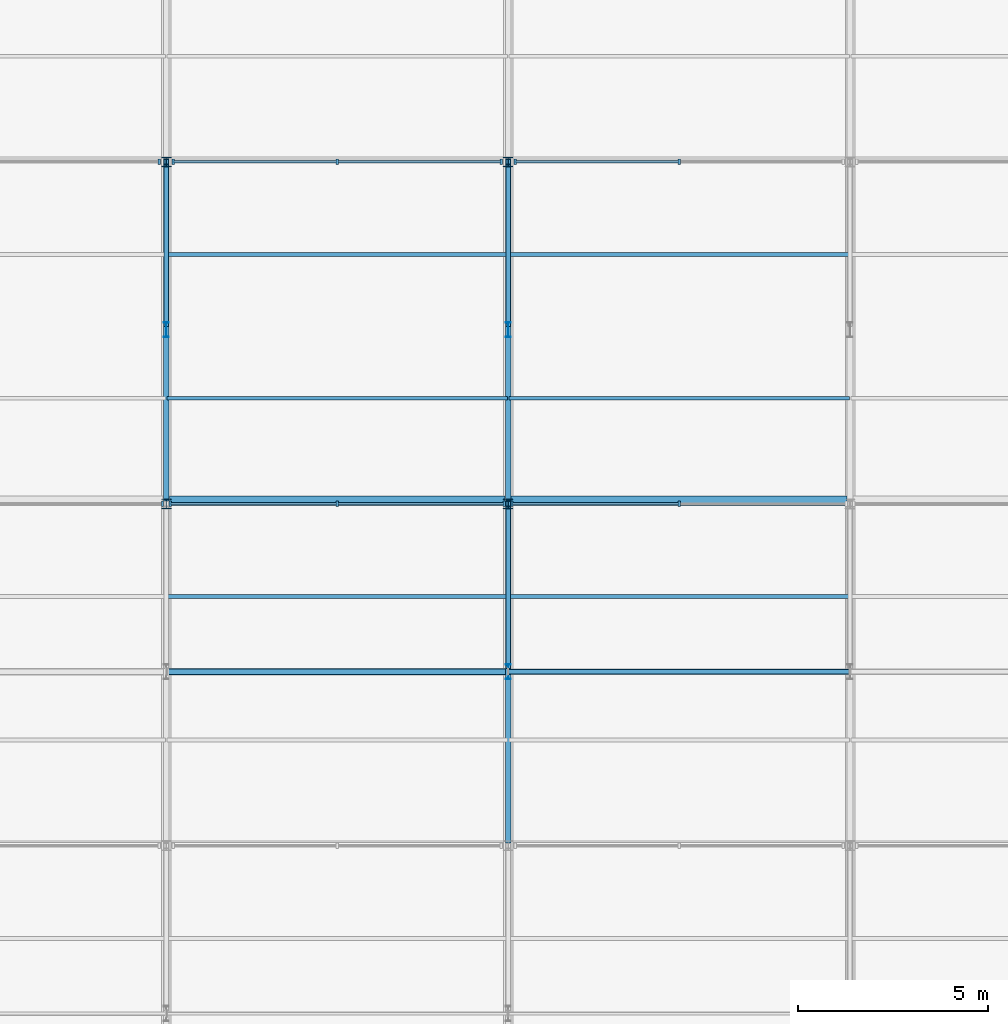
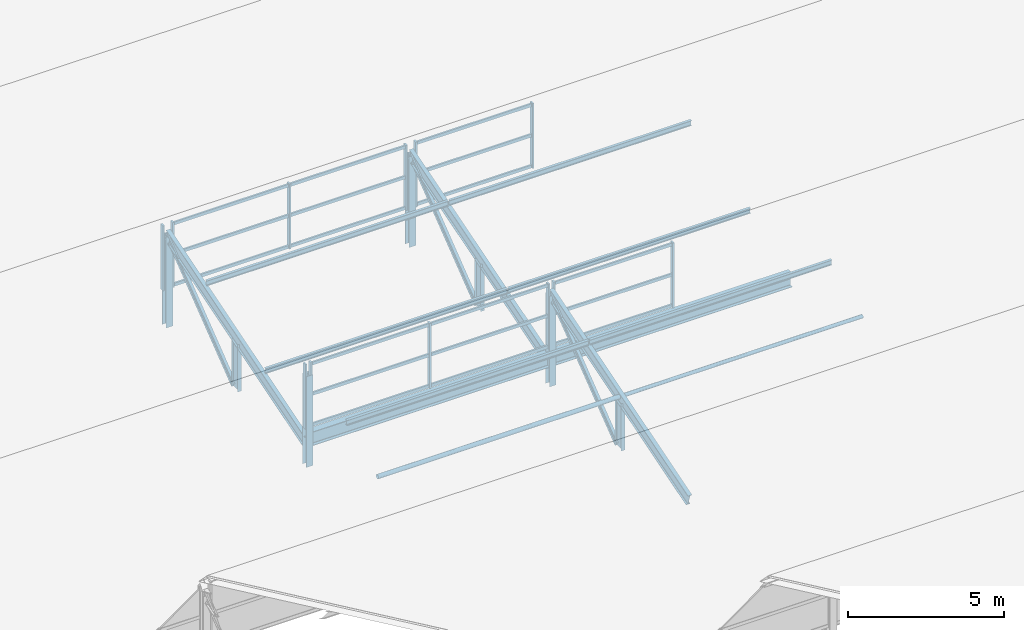
# One storey, part 66 of 163: 51 members, 2 beams, 6 elements without a shape of their own.
"""IFC4 building model written with IfcOpenShell, lengths in metres."""

from ifc_helpers import new_model, si_unit, direction, frame, origin, origin_2d, place, context, subcontext, project, spatial, rectangle, hollow_circle, i_section, extrude, material, material_profile, profile_set, type_object, element, aggregate, save


model = new_model("IFC4")

# Units and contexts
model_context = context("Model", 3, precision=1e-05, world=origin(), true_north=direction((0.0, 1.0)))
body_context = subcontext(model_context, "Body", "Model", "MODEL_VIEW")
ifc_project = project(units=[si_unit("LENGTHUNIT", "METRE"), si_unit("AREAUNIT", "SQUARE_METRE"), si_unit("VOLUMEUNIT", "CUBIC_METRE"), si_unit("PLANEANGLEUNIT", "RADIAN"), si_unit("MASSUNIT", "GRAM", prefix="KILO")], contexts=[model_context])

# Site, building, storey
site_placement = place(None, origin())
site = spatial("IfcSite", under=ifc_project, at=site_placement, CompositionType="ELEMENT")
building_placement = place(site_placement, origin())
building = spatial("IfcBuilding", under=site, at=building_placement, Name="Tharagai Park Tramway Depot", CompositionType="ELEMENT")
storey_placement = place(building_placement, frame((0.0, 0.0, 8.39990234375)))
storey = spatial("IfcBuildingStorey", under=building, at=storey_placement, Name="L02", CompositionType="ELEMENT", Elevation=8.39990234375)

# Beams
ifc_material_1 = material(Name="Steel E350", Category="steel")
ifc_material_profile_1 = material_profile(ifc_material_1, i_section(OverallWidth=0.25, OverallDepth=0.550048828125, WebThickness=0.010498046875, FlangeThickness=0.017578125, FilletRadius=0.01611328125, at=origin_2d()), Name="ISWB 550")
ifc_profile_set_1 = profile_set([ifc_material_profile_1], Name="Steel E350")
beam_type = type_object("IfcBeamType", Name="BM-04", PredefinedType="BEAM", material=ifc_profile_set_1)
for number, where, z_axis, x_axis, name in (
    (1, (81.080078125, 117.0, 0.72509765625), (1.0, 0.0, 0.0), (0.0, 1.0, 0.0), "Sawtooth Valley Girder BM-04"),
    (2, (90.080078125, 117.0, 0.72509765625), (1.0, 0.0, 0.0), (0.0, 1.0, 0.0), "Sawtooth Valley Girder BM-04"),
):
    element("IfcBeam", number, at=place(storey_placement, frame(where, z_axis=z_axis, x_axis=x_axis)), inside=storey, type_object=beam_type, Name=name, PredefinedType="BEAM", context=body_context, shape_type="SweptSolid", body=[
        extrude(i_section(OverallWidth=0.25, OverallDepth=0.550048828125, WebThickness=0.010498046875, FlangeThickness=0.017578125, FilletRadius=0.01611328125, at=origin_2d()), origin(), (0.0, 0.0, 1.0), 8.83984375),
    ])

# Members
ifc_material_profile_2 = material_profile(ifc_material_1, i_section(OverallWidth=0.25, OverallDepth=0.25, WebThickness=0.0087890625, FlangeThickness=0.009765625, FilletRadius=0.010009765625, at=origin_2d()), Name="ISHB 250")
ifc_profile_set_2 = profile_set([ifc_material_profile_2], Name="Steel E350")
member_type_1 = type_object("IfcMemberType", Name="BR-01", PredefinedType="BRACE", material=ifc_profile_set_2)
for number, where, z_axis, x_axis, name in (
    (3, (81.0, 116.919921875, -0.25), (0.0, 0.0, 1.0), (1.0, 0.0, 0.0), "Sawtooth North Vertical Post BR-01"),
    (4, (81.0, 125.919921875, -0.25), (0.0, 0.0, 1.0), (1.0, 0.0, 0.0), "Sawtooth North Vertical Post BR-01"),
    (5, (90.0, 116.919921875, -0.25), (0.0, 0.0, 1.0), (1.0, 0.0, 0.0), "Sawtooth North Vertical Post BR-01"),
    (6, (90.0, 125.919921875, -0.25), (0.0, 0.0, 1.0), (1.0, 0.0, 0.0), "Sawtooth North Vertical Post BR-01"),
):
    element("IfcMember", number, at=place(storey_placement, frame(where, z_axis=z_axis, x_axis=x_axis)), inside=storey, type_object=member_type_1, Name=name, PredefinedType="BRACE", context=body_context, shape_type="SweptSolid", body=[
        extrude(i_section(OverallWidth=0.25, OverallDepth=0.25, WebThickness=0.0087890625, FlangeThickness=0.009765625, FilletRadius=0.010009765625, at=origin_2d()), origin(), (0.0, 0.0, 1.0), 3.55517578125),
    ])
ifc_material_profile_3 = material_profile(ifc_material_1, i_section(OverallWidth=0.110107421875, OverallDepth=0.22509765625, WebThickness=0.006591796875, FlangeThickness=0.01171875, FilletRadius=0.011962890625, at=origin_2d()), Name="ISMB 225")
ifc_profile_set_3 = profile_set([ifc_material_profile_3], Name="Steel E350")
member_type_2 = type_object("IfcMemberType", Name="BR-04", PredefinedType="BRACE", material=ifc_profile_set_3)
for number, where, z_axis, x_axis, name in (
    (7, (81.0, 121.64990234375, 0.0), (0.0, 0.790781596, 0.612098413188), (-1.0, 0.0, 0.0), "Sawtooth Truss Web Diagonal BR-04"),
    (8, (90.0, 112.64990234375, 0.0), (0.0, 0.790781596, 0.612098413188), (-1.0, 0.0, 0.0), "Sawtooth Truss Web Diagonal BR-04"),
    (9, (90.0, 121.64990234375, 0.0), (0.0, 0.790781596, 0.612098413188), (-1.0, 0.0, 0.0), "Sawtooth Truss Web Diagonal BR-04"),
):
    element("IfcMember", number, at=place(storey_placement, frame(where, z_axis=z_axis, x_axis=x_axis)), inside=storey, type_object=member_type_2, Name=name, PredefinedType="BRACE", context=body_context, shape_type="SweptSolid", body=[
        extrude(i_section(OverallWidth=0.110107421875, OverallDepth=0.22509765625, WebThickness=0.006591796875, FlangeThickness=0.01171875, FilletRadius=0.011962890625, at=origin_2d()), origin(), (0.0, 0.0, 1.0), 5.399658203125),
    ])
ifc_material_profile_4 = material_profile(ifc_material_1, hollow_circle(Radius=0.084228515625, WallThickness=0.006103515625, at=origin_2d()), Name="CHS 168.3x6")
ifc_profile_set_4 = profile_set([ifc_material_profile_4], Name="Steel E350")
member_type_3 = type_object("IfcMemberType", Name="BR-07", PredefinedType="BRACE", material=ifc_profile_set_4)
member_1_placement = place(storey_placement, frame((81.02001953125, 112.5, 1.946533203125), z_axis=(1.0, 0.0, 0.0), x_axis=(0.0, 1.0, 0.0)))
element("IfcMember", 10, at=member_1_placement, inside=storey, type_object=member_type_3, Name="Sawtooth Tubular Tie Strut BR-07", PredefinedType="BRACE", context=body_context, shape_type="SweptSolid", body=[
    extrude(hollow_circle(Radius=0.084228515625, WallThickness=0.006103515625, at=origin_2d()), origin(), (0.0, 0.0, 1.0), 8.9599609375),
])
ifc_material_2 = material(Name="Steel E250", Category="steel")
ifc_material_profile_5 = material_profile(ifc_material_2, hollow_circle(Radius=0.06982421875, WallThickness=0.0048828125, at=origin_2d()), Name="CHS 139.7x5")
ifc_profile_set_5 = profile_set([ifc_material_profile_5], Name="Steel E250")
member_type_4 = type_object("IfcMemberType", Name="BR-09", PredefinedType="BRACE", material=ifc_profile_set_5)
member_2_placement = place(storey_placement, frame((90.02001953125, 112.5, 1.946533203125), z_axis=(1.0, 0.0, 0.0), x_axis=(0.0, 1.0, 0.0)))
element("IfcMember", 11, at=member_2_placement, inside=storey, type_object=member_type_4, Name="Sawtooth Tubular Tie Strut BR-09", PredefinedType="BRACE", context=body_context, shape_type="SweptSolid", body=[
    extrude(hollow_circle(Radius=0.06982421875, WallThickness=0.0048828125, at=origin_2d()), origin(), (0.0, 0.0, 1.0), 8.9599609375),
])

# Curtain wall, members
ifc_material_3 = material(Name="Anodised aluminium", Category="aluminium")
curtain_wall_type_1 = type_object("IfcCurtainWallType", Name="CW-04", PredefinedType="NOTDEFINED", material=ifc_material_3)
curtain_wall_1_placement = place(storey_placement, origin())
curtain_wall_1 = element("IfcCurtainWall", 12, at=curtain_wall_1_placement, inside=storey, type_object=curtain_wall_type_1, Name="Sawtooth North-Light Clerestory CW-04", PredefinedType="NOTDEFINED")
ifc_material_profile_6 = material_profile(ifc_material_3, rectangle(XDim=0.06494140625, YDim=0.1201171875, at=origin_2d()), Name="ALU 65x120")
ifc_profile_set_6 = profile_set([ifc_material_profile_6], Name="Anodised aluminium")
member_type_5 = type_object("IfcMemberType", Name="CM-01", PredefinedType="USERDEFINED", material=ifc_profile_set_6)
member_3_placement = place(storey_placement, frame((81.114990234375, 116.919921875, 1.26513671875), z_axis=(1.0, 0.0, 0.0), x_axis=(0.0, 1.0, 0.0)))
member_3 = element("IfcMember", 13, at=member_3_placement, type_object=member_type_5, Name="Sawtooth North-Light Clerestory Transom 1.1", ObjectType="TRANSOM", PredefinedType="USERDEFINED", context=body_context, shape_type="SweptSolid", body=[
    extrude(rectangle(XDim=0.06494140625, YDim=0.1201171875, at=origin_2d()), origin(), (0.0, 0.0, 1.0), 4.3701171875),
])
member_4_placement = place(storey_placement, frame((81.114990234375, 116.919921875, 2.4736328125), z_axis=(1.0, 0.0, 0.0), x_axis=(0.0, 1.0, 0.0)))
member_4 = element("IfcMember", 14, at=member_4_placement, type_object=member_type_5, Name="Sawtooth North-Light Clerestory Transom 1.2", ObjectType="TRANSOM", PredefinedType="USERDEFINED", context=body_context, shape_type="SweptSolid", body=[
    extrude(rectangle(XDim=0.06494140625, YDim=0.1201171875, at=origin_2d()), origin(), (0.0, 0.0, 1.0), 4.3701171875),
])
member_5_placement = place(storey_placement, frame((81.114990234375, 116.919921875, 3.662353515625), z_axis=(1.0, 0.0, 0.0), x_axis=(0.0, 1.0, 0.0)))
member_5 = element("IfcMember", 15, at=member_5_placement, type_object=member_type_5, Name="Sawtooth North-Light Clerestory Transom 1.3", ObjectType="TRANSOM", PredefinedType="USERDEFINED", context=body_context, shape_type="SweptSolid", body=[
    extrude(rectangle(XDim=0.06494140625, YDim=0.1201171875, at=origin_2d()), origin(), (0.0, 0.0, 1.0), 4.3701171875),
])
member_6_placement = place(storey_placement, frame((85.514892578125, 116.919921875, 1.26513671875), z_axis=(1.0, 0.0, 0.0), x_axis=(0.0, 1.0, 0.0)))
member_6 = element("IfcMember", 16, at=member_6_placement, type_object=member_type_5, Name="Sawtooth North-Light Clerestory Transom 2.1", ObjectType="TRANSOM", PredefinedType="USERDEFINED", context=body_context, shape_type="SweptSolid", body=[
    extrude(rectangle(XDim=0.06494140625, YDim=0.1201171875, at=origin_2d()), origin(), (0.0, 0.0, 1.0), 4.3701171875),
])
member_7_placement = place(storey_placement, frame((85.514892578125, 116.919921875, 2.4736328125), z_axis=(1.0, 0.0, 0.0), x_axis=(0.0, 1.0, 0.0)))
member_7 = element("IfcMember", 17, at=member_7_placement, type_object=member_type_5, Name="Sawtooth North-Light Clerestory Transom 2.2", ObjectType="TRANSOM", PredefinedType="USERDEFINED", context=body_context, shape_type="SweptSolid", body=[
    extrude(rectangle(XDim=0.06494140625, YDim=0.1201171875, at=origin_2d()), origin(), (0.0, 0.0, 1.0), 4.3701171875),
])
member_8_placement = place(storey_placement, frame((85.514892578125, 116.919921875, 3.662353515625), z_axis=(1.0, 0.0, 0.0), x_axis=(0.0, 1.0, 0.0)))
member_8 = element("IfcMember", 18, at=member_8_placement, type_object=member_type_5, Name="Sawtooth North-Light Clerestory Transom 2.3", ObjectType="TRANSOM", PredefinedType="USERDEFINED", context=body_context, shape_type="SweptSolid", body=[
    extrude(rectangle(XDim=0.06494140625, YDim=0.1201171875, at=origin_2d()), origin(), (0.0, 0.0, 1.0), 4.3701171875),
])

curtain_wall_2_placement = place(storey_placement, origin())
curtain_wall_2 = element("IfcCurtainWall", 19, at=curtain_wall_2_placement, inside=storey, type_object=curtain_wall_type_1, Name="Sawtooth North-Light Clerestory CW-04", PredefinedType="NOTDEFINED")
member_9_placement = place(storey_placement, frame((90.114990234375, 116.919921875, 1.26513671875), z_axis=(1.0, 0.0, 0.0), x_axis=(0.0, 1.0, 0.0)))
member_9 = element("IfcMember", 20, at=member_9_placement, type_object=member_type_5, Name="Sawtooth North-Light Clerestory Transom 1.1", ObjectType="TRANSOM", PredefinedType="USERDEFINED", context=body_context, shape_type="SweptSolid", body=[
    extrude(rectangle(XDim=0.06494140625, YDim=0.1201171875, at=origin_2d()), origin(), (0.0, 0.0, 1.0), 4.3701171875),
])
member_10_placement = place(storey_placement, frame((90.114990234375, 116.919921875, 2.4736328125), z_axis=(1.0, 0.0, 0.0), x_axis=(0.0, 1.0, 0.0)))
member_10 = element("IfcMember", 21, at=member_10_placement, type_object=member_type_5, Name="Sawtooth North-Light Clerestory Transom 1.2", ObjectType="TRANSOM", PredefinedType="USERDEFINED", context=body_context, shape_type="SweptSolid", body=[
    extrude(rectangle(XDim=0.06494140625, YDim=0.1201171875, at=origin_2d()), origin(), (0.0, 0.0, 1.0), 4.3701171875),
])
member_11_placement = place(storey_placement, frame((90.114990234375, 116.919921875, 3.662353515625), z_axis=(1.0, 0.0, 0.0), x_axis=(0.0, 1.0, 0.0)))
member_11 = element("IfcMember", 22, at=member_11_placement, type_object=member_type_5, Name="Sawtooth North-Light Clerestory Transom 1.3", ObjectType="TRANSOM", PredefinedType="USERDEFINED", context=body_context, shape_type="SweptSolid", body=[
    extrude(rectangle(XDim=0.06494140625, YDim=0.1201171875, at=origin_2d()), origin(), (0.0, 0.0, 1.0), 4.3701171875),
])

curtain_wall_type_2 = type_object("IfcCurtainWallType", Name="CW-03", PredefinedType="NOTDEFINED", material=ifc_material_3)
curtain_wall_3_placement = place(storey_placement, origin())
curtain_wall_3 = element("IfcCurtainWall", 23, at=curtain_wall_3_placement, inside=storey, type_object=curtain_wall_type_2, Name="Sawtooth North-Light Clerestory CW-03", PredefinedType="NOTDEFINED")
member_12_placement = place(storey_placement, frame((81.195068359375, 125.919921875, 1.26513671875), z_axis=(1.0, 0.0, 0.0), x_axis=(0.0, 1.0, 0.0)))
member_12 = element("IfcMember", 24, at=member_12_placement, type_object=member_type_5, Name="Sawtooth North-Light Clerestory Transom 1.1", ObjectType="TRANSOM", PredefinedType="USERDEFINED", context=body_context, shape_type="SweptSolid", body=[
    extrude(rectangle(XDim=0.06494140625, YDim=0.1201171875, at=origin_2d()), origin(), (0.0, 0.0, 1.0), 4.2900390625),
])
member_13_placement = place(storey_placement, frame((81.195068359375, 125.919921875, 2.4736328125), z_axis=(1.0, 0.0, 0.0), x_axis=(0.0, 1.0, 0.0)))
member_13 = element("IfcMember", 25, at=member_13_placement, type_object=member_type_5, Name="Sawtooth North-Light Clerestory Transom 1.2", ObjectType="TRANSOM", PredefinedType="USERDEFINED", context=body_context, shape_type="SweptSolid", body=[
    extrude(rectangle(XDim=0.06494140625, YDim=0.1201171875, at=origin_2d()), origin(), (0.0, 0.0, 1.0), 4.2900390625),
])
member_14_placement = place(storey_placement, frame((81.195068359375, 125.919921875, 3.662353515625), z_axis=(1.0, 0.0, 0.0), x_axis=(0.0, 1.0, 0.0)))
member_14 = element("IfcMember", 26, at=member_14_placement, type_object=member_type_5, Name="Sawtooth North-Light Clerestory Transom 1.3", ObjectType="TRANSOM", PredefinedType="USERDEFINED", context=body_context, shape_type="SweptSolid", body=[
    extrude(rectangle(XDim=0.06494140625, YDim=0.1201171875, at=origin_2d()), origin(), (0.0, 0.0, 1.0), 4.2900390625),
])
member_15_placement = place(storey_placement, frame((85.514892578125, 125.919921875, 1.26513671875), z_axis=(1.0, 0.0, 0.0), x_axis=(0.0, 1.0, 0.0)))
member_15 = element("IfcMember", 27, at=member_15_placement, type_object=member_type_5, Name="Sawtooth North-Light Clerestory Transom 2.1", ObjectType="TRANSOM", PredefinedType="USERDEFINED", context=body_context, shape_type="SweptSolid", body=[
    extrude(rectangle(XDim=0.06494140625, YDim=0.1201171875, at=origin_2d()), origin(), (0.0, 0.0, 1.0), 4.2900390625),
])
member_16_placement = place(storey_placement, frame((85.514892578125, 125.919921875, 2.4736328125), z_axis=(1.0, 0.0, 0.0), x_axis=(0.0, 1.0, 0.0)))
member_16 = element("IfcMember", 28, at=member_16_placement, type_object=member_type_5, Name="Sawtooth North-Light Clerestory Transom 2.2", ObjectType="TRANSOM", PredefinedType="USERDEFINED", context=body_context, shape_type="SweptSolid", body=[
    extrude(rectangle(XDim=0.06494140625, YDim=0.1201171875, at=origin_2d()), origin(), (0.0, 0.0, 1.0), 4.2900390625),
])
member_17_placement = place(storey_placement, frame((85.514892578125, 125.919921875, 3.662353515625), z_axis=(1.0, 0.0, 0.0), x_axis=(0.0, 1.0, 0.0)))
member_17 = element("IfcMember", 29, at=member_17_placement, type_object=member_type_5, Name="Sawtooth North-Light Clerestory Transom 2.3", ObjectType="TRANSOM", PredefinedType="USERDEFINED", context=body_context, shape_type="SweptSolid", body=[
    extrude(rectangle(XDim=0.06494140625, YDim=0.1201171875, at=origin_2d()), origin(), (0.0, 0.0, 1.0), 4.2900390625),
])

curtain_wall_4_placement = place(storey_placement, origin())
curtain_wall_4 = element("IfcCurtainWall", 30, at=curtain_wall_4_placement, inside=storey, type_object=curtain_wall_type_2, Name="Sawtooth North-Light Clerestory CW-03", PredefinedType="NOTDEFINED")
member_18_placement = place(storey_placement, frame((90.195068359375, 125.919921875, 1.26513671875), z_axis=(1.0, 0.0, 0.0), x_axis=(0.0, 1.0, 0.0)))
member_18 = element("IfcMember", 31, at=member_18_placement, type_object=member_type_5, Name="Sawtooth North-Light Clerestory Transom 1.1", ObjectType="TRANSOM", PredefinedType="USERDEFINED", context=body_context, shape_type="SweptSolid", body=[
    extrude(rectangle(XDim=0.06494140625, YDim=0.1201171875, at=origin_2d()), origin(), (0.0, 0.0, 1.0), 4.2900390625),
])
member_19_placement = place(storey_placement, frame((90.195068359375, 125.919921875, 2.4736328125), z_axis=(1.0, 0.0, 0.0), x_axis=(0.0, 1.0, 0.0)))
member_19 = element("IfcMember", 32, at=member_19_placement, type_object=member_type_5, Name="Sawtooth North-Light Clerestory Transom 1.2", ObjectType="TRANSOM", PredefinedType="USERDEFINED", context=body_context, shape_type="SweptSolid", body=[
    extrude(rectangle(XDim=0.06494140625, YDim=0.1201171875, at=origin_2d()), origin(), (0.0, 0.0, 1.0), 4.2900390625),
])
member_20_placement = place(storey_placement, frame((90.195068359375, 125.919921875, 3.662353515625), z_axis=(1.0, 0.0, 0.0), x_axis=(0.0, 1.0, 0.0)))
member_20 = element("IfcMember", 33, at=member_20_placement, type_object=member_type_5, Name="Sawtooth North-Light Clerestory Transom 1.3", ObjectType="TRANSOM", PredefinedType="USERDEFINED", context=body_context, shape_type="SweptSolid", body=[
    extrude(rectangle(XDim=0.06494140625, YDim=0.1201171875, at=origin_2d()), origin(), (0.0, 0.0, 1.0), 4.2900390625),
])

# Curtain wall, member
curtain_wall_5_placement = place(storey_placement, origin())
curtain_wall_5 = element("IfcCurtainWall", 34, at=curtain_wall_5_placement, inside=storey, type_object=curtain_wall_type_1, Name="Sawtooth North-Light Clerestory CW-04", PredefinedType="NOTDEFINED")
ifc_material_profile_7 = material_profile(ifc_material_3, rectangle(XDim=0.06494140625, YDim=0.14990234375, at=origin_2d()), Name="ALU 65x150")
ifc_profile_set_7 = profile_set([ifc_material_profile_7], Name="Anodised aluminium")
member_type_6 = type_object("IfcMemberType", Name="CM-03", PredefinedType="MULLION", material=ifc_profile_set_7)
member_21_placement = place(storey_placement, frame((80.89990234375, 116.919921875, 1.2001953125), z_axis=(0.0, 0.0, 1.0), x_axis=(1.0, 0.0, 0.0)))
member_21 = element("IfcMember", 35, at=member_21_placement, type_object=member_type_6, Name="Sawtooth North-Light Clerestory Mullion 3", PredefinedType="MULLION", context=body_context, shape_type="SweptSolid", body=[
    extrude(rectangle(XDim=0.06494140625, YDim=0.14990234375, at=origin_2d()), origin(), (0.0, 0.0, 1.0), 2.547119140625),
])
aggregate(curtain_wall_5, [member_21])

# Member
member_22_placement = place(storey_placement, frame((81.10009765625, 116.919921875, 1.2001953125), z_axis=(0.0, 0.0, 1.0), x_axis=(1.0, 0.0, 0.0)))
member_22 = element("IfcMember", 36, at=member_22_placement, type_object=member_type_6, Name="Sawtooth North-Light Clerestory Mullion 1", PredefinedType="MULLION", context=body_context, shape_type="SweptSolid", body=[
    extrude(rectangle(XDim=0.06494140625, YDim=0.14990234375, at=origin_2d()), origin(), (0.0, 0.0, 1.0), 2.547119140625),
])

member_23_placement = place(storey_placement, frame((85.5, 116.919921875, 1.2001953125), z_axis=(0.0, 0.0, 1.0), x_axis=(1.0, 0.0, 0.0)))
member_23 = element("IfcMember", 37, at=member_23_placement, type_object=member_type_6, Name="Sawtooth North-Light Clerestory Mullion 2", PredefinedType="MULLION", context=body_context, shape_type="SweptSolid", body=[
    extrude(rectangle(XDim=0.06494140625, YDim=0.14990234375, at=origin_2d()), origin(), (0.0, 0.0, 1.0), 2.547119140625),
])

member_24_placement = place(storey_placement, frame((89.89990234375, 116.919921875, 1.2001953125), z_axis=(0.0, 0.0, 1.0), x_axis=(1.0, 0.0, 0.0)))
member_24 = element("IfcMember", 38, at=member_24_placement, type_object=member_type_6, Name="Sawtooth North-Light Clerestory Mullion 3", PredefinedType="MULLION", context=body_context, shape_type="SweptSolid", body=[
    extrude(rectangle(XDim=0.06494140625, YDim=0.14990234375, at=origin_2d()), origin(), (0.0, 0.0, 1.0), 2.547119140625),
])

aggregate(curtain_wall_1, [member_22, member_23, member_24, member_3, member_4, member_5, member_6, member_7, member_8])

member_25_placement = place(storey_placement, frame((90.10009765625, 116.919921875, 1.2001953125), z_axis=(0.0, 0.0, 1.0), x_axis=(1.0, 0.0, 0.0)))
member_25 = element("IfcMember", 39, at=member_25_placement, type_object=member_type_6, Name="Sawtooth North-Light Clerestory Mullion 1", PredefinedType="MULLION", context=body_context, shape_type="SweptSolid", body=[
    extrude(rectangle(XDim=0.06494140625, YDim=0.14990234375, at=origin_2d()), origin(), (0.0, 0.0, 1.0), 2.547119140625),
])

member_26_placement = place(storey_placement, frame((94.5, 116.919921875, 1.2001953125), z_axis=(0.0, 0.0, 1.0), x_axis=(1.0, 0.0, 0.0)))
member_26 = element("IfcMember", 40, at=member_26_placement, type_object=member_type_6, Name="Sawtooth North-Light Clerestory Mullion 2", PredefinedType="MULLION", context=body_context, shape_type="SweptSolid", body=[
    extrude(rectangle(XDim=0.06494140625, YDim=0.14990234375, at=origin_2d()), origin(), (0.0, 0.0, 1.0), 2.547119140625),
])

aggregate(curtain_wall_2, [member_25, member_26, member_9, member_10, member_11])

# Curtain wall, member
curtain_wall_6_placement = place(storey_placement, origin())
curtain_wall_6 = element("IfcCurtainWall", 41, at=curtain_wall_6_placement, inside=storey, type_object=curtain_wall_type_2, Name="Sawtooth North-Light Clerestory CW-03", PredefinedType="NOTDEFINED")
member_27_placement = place(storey_placement, frame((80.820068359375, 125.919921875, 1.2001953125), z_axis=(0.0, 0.0, 1.0), x_axis=(1.0, 0.0, 0.0)))
member_27 = element("IfcMember", 42, at=member_27_placement, type_object=member_type_6, Name="Sawtooth North-Light Clerestory Mullion 3", PredefinedType="MULLION", context=body_context, shape_type="SweptSolid", body=[
    extrude(rectangle(XDim=0.06494140625, YDim=0.14990234375, at=origin_2d()), origin(), (0.0, 0.0, 1.0), 2.547119140625),
])
aggregate(curtain_wall_6, [member_27])

# Member
member_28_placement = place(storey_placement, frame((81.179931640625, 125.919921875, 1.2001953125), z_axis=(0.0, 0.0, 1.0), x_axis=(1.0, 0.0, 0.0)))
member_28 = element("IfcMember", 43, at=member_28_placement, type_object=member_type_6, Name="Sawtooth North-Light Clerestory Mullion 1", PredefinedType="MULLION", context=body_context, shape_type="SweptSolid", body=[
    extrude(rectangle(XDim=0.06494140625, YDim=0.14990234375, at=origin_2d()), origin(), (0.0, 0.0, 1.0), 2.547119140625),
])

member_29_placement = place(storey_placement, frame((85.5, 125.919921875, 1.2001953125), z_axis=(0.0, 0.0, 1.0), x_axis=(1.0, 0.0, 0.0)))
member_29 = element("IfcMember", 44, at=member_29_placement, type_object=member_type_6, Name="Sawtooth North-Light Clerestory Mullion 2", PredefinedType="MULLION", context=body_context, shape_type="SweptSolid", body=[
    extrude(rectangle(XDim=0.06494140625, YDim=0.14990234375, at=origin_2d()), origin(), (0.0, 0.0, 1.0), 2.547119140625),
])

member_30_placement = place(storey_placement, frame((89.820068359375, 125.919921875, 1.2001953125), z_axis=(0.0, 0.0, 1.0), x_axis=(1.0, 0.0, 0.0)))
member_30 = element("IfcMember", 45, at=member_30_placement, type_object=member_type_6, Name="Sawtooth North-Light Clerestory Mullion 3", PredefinedType="MULLION", context=body_context, shape_type="SweptSolid", body=[
    extrude(rectangle(XDim=0.06494140625, YDim=0.14990234375, at=origin_2d()), origin(), (0.0, 0.0, 1.0), 2.547119140625),
])

aggregate(curtain_wall_3, [member_28, member_29, member_30, member_12, member_13, member_14, member_15, member_16, member_17])

member_31_placement = place(storey_placement, frame((90.179931640625, 125.919921875, 1.2001953125), z_axis=(0.0, 0.0, 1.0), x_axis=(1.0, 0.0, 0.0)))
member_31 = element("IfcMember", 46, at=member_31_placement, type_object=member_type_6, Name="Sawtooth North-Light Clerestory Mullion 1", PredefinedType="MULLION", context=body_context, shape_type="SweptSolid", body=[
    extrude(rectangle(XDim=0.06494140625, YDim=0.14990234375, at=origin_2d()), origin(), (0.0, 0.0, 1.0), 2.547119140625),
])

member_32_placement = place(storey_placement, frame((94.5, 125.919921875, 1.2001953125), z_axis=(0.0, 0.0, 1.0), x_axis=(1.0, 0.0, 0.0)))
member_32 = element("IfcMember", 47, at=member_32_placement, type_object=member_type_6, Name="Sawtooth North-Light Clerestory Mullion 2", PredefinedType="MULLION", context=body_context, shape_type="SweptSolid", body=[
    extrude(rectangle(XDim=0.06494140625, YDim=0.14990234375, at=origin_2d()), origin(), (0.0, 0.0, 1.0), 2.547119140625),
])

aggregate(curtain_wall_4, [member_31, member_32, member_18, member_19, member_20])

# Members
ifc_material_profile_8 = material_profile(ifc_material_2, i_section(OverallWidth=0.10009765625, OverallDepth=0.199951171875, WebThickness=0.00537109375, FlangeThickness=0.00732421875, FilletRadius=0.009033203125, at=origin_2d()), Name="ISLB 200")
ifc_profile_set_8 = profile_set([ifc_material_profile_8], Name="Steel E250")
member_type_7 = type_object("IfcMemberType", Name="PR-03", PredefinedType="PURLIN", material=ifc_profile_set_8)
for number, where, z_axis, x_axis, name in (
    (48, (81.02001953125, 119.699951171875, 1.733154296875), (1.0, 0.0, 0.0), (0.0, 1.0, 0.0), "Sawtooth Roof Purlin PR-03"),
    (49, (81.02001953125, 123.47998046875, 2.87451171875), (1.0, 0.0, 0.0), (0.0, 1.0, 0.0), "Sawtooth Roof Purlin PR-03"),
    (50, (90.02001953125, 119.699951171875, 1.733154296875), (1.0, 0.0, 0.0), (0.0, 1.0, 0.0), "Sawtooth Roof Purlin PR-03"),
    (51, (90.02001953125, 123.47998046875, 2.87451171875), (1.0, 0.0, 0.0), (0.0, 1.0, 0.0), "Sawtooth Roof Purlin PR-03"),
):
    element("IfcMember", number, at=place(storey_placement, frame(where, z_axis=z_axis, x_axis=x_axis)), inside=storey, type_object=member_type_7, Name=name, PredefinedType="PURLIN", context=body_context, shape_type="SweptSolid", body=[
        extrude(i_section(OverallWidth=0.10009765625, OverallDepth=0.199951171875, WebThickness=0.00537109375, FlangeThickness=0.00732421875, FilletRadius=0.009033203125, at=origin_2d()), origin(), (0.0, 0.0, 1.0), 8.9599609375),
    ])
ifc_material_profile_9 = material_profile(ifc_material_2, i_section(OverallWidth=0.10009765625, OverallDepth=0.199951171875, WebThickness=0.005615234375, FlangeThickness=0.0107421875, FilletRadius=0.010986328125, at=origin_2d()), Name="ISMB 200")
ifc_profile_set_9 = profile_set([ifc_material_profile_9], Name="Steel E250")
member_type_8 = type_object("IfcMemberType", Name="PR-04", PredefinedType="PURLIN", material=ifc_profile_set_9)
for number, where, z_axis, x_axis, name in (
    (52, (81.02001953125, 114.47998046875, 2.87451171875), (1.0, 0.0, 0.0), (0.0, 1.0, 0.0), "Sawtooth Roof Purlin PR-04"),
    (53, (90.02001953125, 114.47998046875, 2.87451171875), (1.0, 0.0, 0.0), (0.0, 1.0, 0.0), "Sawtooth Roof Purlin PR-04"),
):
    element("IfcMember", number, at=place(storey_placement, frame(where, z_axis=z_axis, x_axis=x_axis)), inside=storey, type_object=member_type_8, Name=name, PredefinedType="PURLIN", context=body_context, shape_type="SweptSolid", body=[
        extrude(i_section(OverallWidth=0.10009765625, OverallDepth=0.199951171875, WebThickness=0.005615234375, FlangeThickness=0.0107421875, FilletRadius=0.010986328125, at=origin_2d()), origin(), (0.0, 0.0, 1.0), 8.9599609375),
    ])
ifc_material_profile_10 = material_profile(ifc_material_1, i_section(OverallWidth=0.14990234375, OverallDepth=0.449951171875, WebThickness=0.009521484375, FlangeThickness=0.017333984375, FilletRadius=0.014892578125, at=origin_2d()), Name="ISMB 450")
ifc_profile_set_10 = profile_set([ifc_material_profile_10], Name="Steel E350")
member_type_9 = type_object("IfcMemberType", Name="TC-05", PredefinedType="CHORD", material=ifc_profile_set_10)
for number, where, z_axis, x_axis, name in (
    (54, (81.0, 117.06005859375, 0.587890625), (0.0, 0.956231486327, 0.29261125159), (-1.0, 0.0, 0.0), "Sawtooth Top Chord TC-05"),
    (55, (90.0, 108.06005859375, 0.587890625), (0.0, 0.956231486327, 0.29261125159), (-1.0, 0.0, 0.0), "Sawtooth Top Chord TC-05"),
    (56, (90.0, 117.06005859375, 0.587890625), (0.0, 0.956231486327, 0.29261125159), (-1.0, 0.0, 0.0), "Sawtooth Top Chord TC-05"),
):
    element("IfcMember", number, at=place(storey_placement, frame(where, z_axis=z_axis, x_axis=x_axis)), inside=storey, type_object=member_type_9, Name=name, PredefinedType="CHORD", context=body_context, shape_type="SweptSolid", body=[
        extrude(i_section(OverallWidth=0.14990234375, OverallDepth=0.449951171875, WebThickness=0.009521484375, FlangeThickness=0.017333984375, FilletRadius=0.014892578125, at=origin_2d()), origin(), (0.0, 0.0, 1.0), 9.286376953125),
    ])
ifc_material_profile_11 = material_profile(ifc_material_1, i_section(OverallWidth=0.139892578125, OverallDepth=0.39990234375, WebThickness=0.0087890625, FlangeThickness=0.01611328125, FilletRadius=0.013916015625, at=origin_2d()), Name="ISMB 400")
ifc_profile_set_11 = profile_set([ifc_material_profile_11], Name="Steel E350")
member_type_10 = type_object("IfcMemberType", Name="TC-06", PredefinedType="CHORD", material=ifc_profile_set_11)
for number, where, z_axis, x_axis, name in (
    (57, (81.0, 121.5, -0.0498046875), (0.0, 0.0, 1.0), (1.0, 0.0, 0.0), "Sawtooth Mid-Tooth Strut TC-06"),
    (58, (90.0, 112.5, -0.0498046875), (0.0, 0.0, 1.0), (1.0, 0.0, 0.0), "Sawtooth Mid-Tooth Strut TC-06"),
    (59, (90.0, 121.5, -0.0498046875), (0.0, 0.0, 1.0), (1.0, 0.0, 0.0), "Sawtooth Mid-Tooth Strut TC-06"),
):
    element("IfcMember", number, at=place(storey_placement, frame(where, z_axis=z_axis, x_axis=x_axis)), inside=storey, type_object=member_type_10, Name=name, PredefinedType="CHORD", context=body_context, shape_type="SweptSolid", body=[
        extrude(i_section(OverallWidth=0.139892578125, OverallDepth=0.39990234375, WebThickness=0.0087890625, FlangeThickness=0.01611328125, FilletRadius=0.013916015625, at=origin_2d()), origin(), (0.0, 0.0, 1.0), 1.846435546875),
    ])

save(model, "model.ifc")
